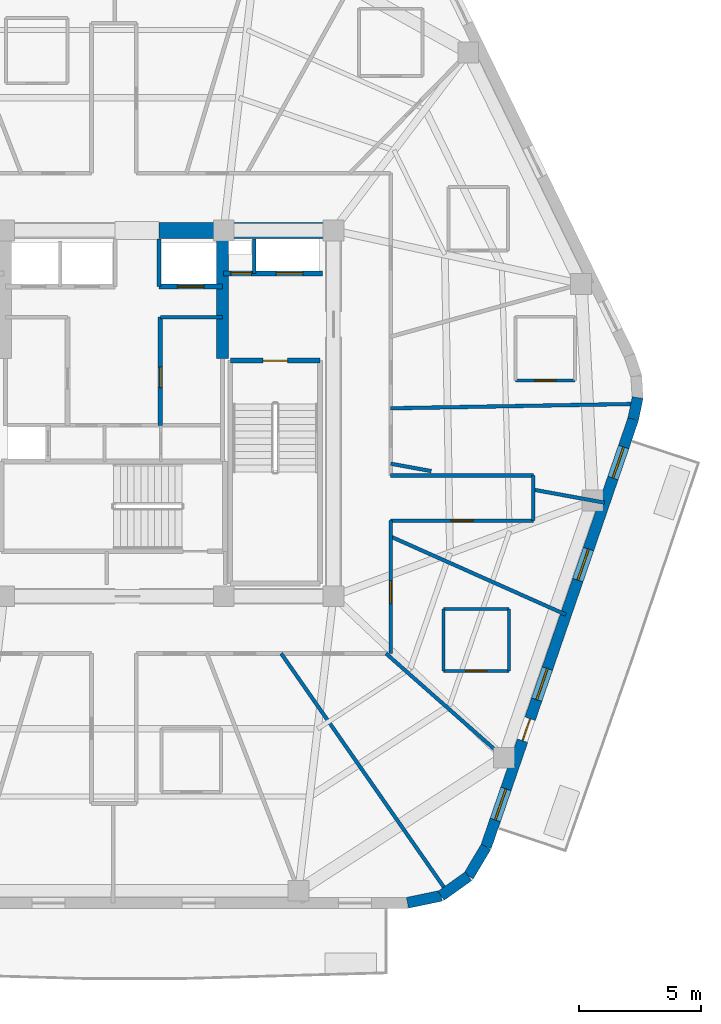
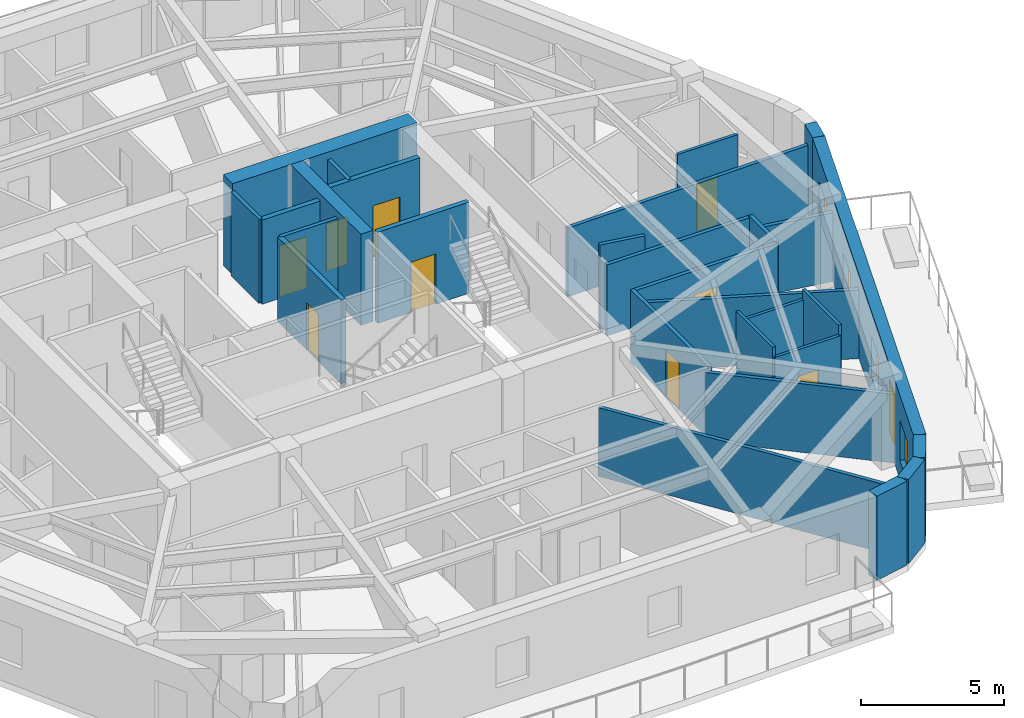
# One storey, part 5 of 9: 29 walls, 10 doors, 4 windows, 14 openings.
"""IFC4 building model written with IfcOpenShell, lengths in metres."""

from ifc_helpers import new_model, si_unit, direction, frame, frame_2d, origin, place, context, subcontext, project, spatial, rectangle, extrude, material, layer, layer_set, type_object, element, fill, save


model = new_model("IFC4")

# Units and contexts
model_context = context("Model", 3, precision=1e-05, world=origin(), true_north=direction((0.0, 1.0)))
body_context = subcontext(model_context, "Body", "Model", "MODEL_VIEW")
ifc_project = project(units=[si_unit("LENGTHUNIT", "METRE"), si_unit("AREAUNIT", "SQUARE_METRE"), si_unit("VOLUMEUNIT", "CUBIC_METRE"), si_unit("PLANEANGLEUNIT", "RADIAN"), si_unit("MASSUNIT", "GRAM", prefix="KILO")], contexts=[model_context])

# Site, building, storey
site_placement = place(None, origin())
site = spatial("IfcSite", under=ifc_project, at=site_placement, CompositionType="ELEMENT")
building_placement = place(site_placement, origin())
building = spatial("IfcBuilding", under=site, at=building_placement, Name="Kilnhurst Terrace Hotel", CompositionType="ELEMENT")
storey_placement = place(building_placement, frame((0.0, 0.0, 269.10009765625)))
storey = spatial("IfcBuildingStorey", under=building, at=storey_placement, Name="L67", CompositionType="ELEMENT", Elevation=269.10009765625)

# Walls
ifc_material_1 = material(Name="Precast concrete C40/50", Category="concrete")
ifc_layer_1 = layer(ifc_material_1, 0.449951171875, Name="Precast concrete C40/50")
ifc_layer_set_1 = layer_set([ifc_layer_1], Name="Precast concrete C40/50")
wall_type_1 = type_object("IfcWallType", Name="WL-BRK-450", PredefinedType="SOLIDWALL", material=ifc_layer_set_1)
wall_1_placement = place(storey_placement, frame((12.038330078125, -20.074951171875, 0.0), z_axis=(0.0, 0.0, 1.0), x_axis=(0.978750122553, 0.205056571711, 0.0)))
element("IfcWall", 1, at=wall_1_placement, inside=storey, type_object=wall_type_1, Name="L67 Rounded Corner Brick Wall C2.1", PredefinedType="SOLIDWALL", context=body_context, shape_type="SweptSolid", body=[
    extrude(rectangle(XDim=1.406005859375, YDim=0.449951171875, at=frame_2d((0.703125, 0.0))), origin(), (0.0, 0.0, 1.0), 3.599853515625),
])
wall_2_placement = place(storey_placement, frame((13.41455078125, -19.78662109375, 0.0), z_axis=(0.0, 0.0, 1.0), x_axis=(0.814055493997, 0.580787097561, 0.0)))
element("IfcWall", 2, at=wall_2_placement, inside=storey, type_object=wall_type_1, Name="L67 Rounded Corner Brick Wall C2.2", PredefinedType="SOLIDWALL", context=body_context, shape_type="SweptSolid", body=[
    extrude(rectangle(XDim=1.382568359375, YDim=0.449951171875, at=frame_2d((0.69140625, 0.0))), origin(), (0.0, 0.0, 1.0), 3.599853515625),
])
wall_3_placement = place(storey_placement, frame((14.5400390625, -18.983642578125, 0.0), z_axis=(0.0, 0.0, 1.0), x_axis=(0.512374906623, 0.858761873317, 0.0)))
element("IfcWall", 3, at=wall_3_placement, inside=storey, type_object=wall_type_1, Name="L67 Rounded Corner Brick Wall C2.3", PredefinedType="SOLIDWALL", context=body_context, shape_type="SweptSolid", body=[
    extrude(rectangle(XDim=1.406005859375, YDim=0.449951171875, at=frame_2d((0.703125, 0.0))), origin(), (0.0, 0.0, 1.0), 3.599853515625),
])
wall_4_placement = place(storey_placement, frame((21.297607421875, -0.2333984375, 0.0), z_axis=(0.0, 0.0, 1.0), x_axis=(0.199158176661, 0.979967356941, 0.0)))
element("IfcWall", 4, at=wall_4_placement, inside=storey, type_object=wall_type_1, Name="L67 Rounded Corner Brick Wall C3.1", PredefinedType="SOLIDWALL", context=body_context, shape_type="SweptSolid", body=[
    extrude(rectangle(XDim=0.894775390625, YDim=0.449951171875, at=frame_2d((0.447265625, 0.0))), origin(), (0.0, 0.0, 1.0), 3.599853515625),
])

# Wall, openings, door, windows
wall_5_placement = place(storey_placement, frame((15.260498046875, -17.776123046875, 0.0), z_axis=(0.0, 0.0, 1.0), x_axis=(0.325407437101, 0.945573899745, 0.0)))
wall_5 = element("IfcWall", 5, at=wall_5_placement, inside=storey, type_object=wall_type_1, Name="L67 Exterior Brick Facade Wall F2", PredefinedType="SOLIDWALL", context=body_context, shape_type="SweptSolid", body=[
    extrude(rectangle(XDim=18.552490234375, YDim=0.449951171875, at=frame_2d((9.2763671875, 0.0))), origin(), (0.0, 0.0, 1.0), 3.599853515625),
])
opening_1_placement = place(wall_5_placement, frame((4.60205078125, 0.0, 0.0)))
opening_1 = element("IfcOpeningElement", 6, at=opening_1_placement, cuts=wall_5, Name="Opening BD-950", PredefinedType="OPENING", context=body_context, shape_type="SweptSolid", body=[
    extrude(rectangle(XDim=0.949951171875, YDim=2.14990234375, at=frame_2d((0.47509765625, 1.074951171875))), frame((0.0, 0.23486328125, 0.0), z_axis=(0.0, -1.0, 0.0), x_axis=(1.0, 0.0, 0.0)), (0.0, 0.0, 1.0), 0.469970703125),
])
opening_2_placement = place(wall_5_placement, frame((1.160888671875, 0.0, 0.800048828125)))
opening_2 = element("IfcOpeningElement", 7, at=opening_2_placement, cuts=wall_5, Name="Opening W-06", PredefinedType="OPENING", context=body_context, shape_type="SweptSolid", body=[
    extrude(rectangle(XDim=1.35009765625, YDim=1.75, at=frame_2d((0.675048828125, 0.875))), frame((0.0, 0.23486328125, 0.0), z_axis=(0.0, -1.0, 0.0), x_axis=(1.0, 0.0, 0.0)), (0.0, 0.0, 1.0), 0.469970703125),
])
opening_3_placement = place(wall_5_placement, frame((6.37890625, 0.0, 0.800048828125)))
opening_3 = element("IfcOpeningElement", 8, at=opening_3_placement, cuts=wall_5, Name="Opening W-06", PredefinedType="OPENING", context=body_context, shape_type="SweptSolid", body=[
    extrude(rectangle(XDim=1.35009765625, YDim=1.75, at=frame_2d((0.675048828125, 0.875))), frame((0.0, 0.23486328125, 0.0), z_axis=(0.0, -1.0, 0.0), x_axis=(1.0, 0.0, 0.0)), (0.0, 0.0, 1.0), 0.469970703125),
])
opening_4_placement = place(wall_5_placement, frame((11.56103515625, 0.0, 0.800048828125)))
opening_4 = element("IfcOpeningElement", 9, at=opening_4_placement, cuts=wall_5, Name="Opening W-06", PredefinedType="OPENING", context=body_context, shape_type="SweptSolid", body=[
    extrude(rectangle(XDim=1.35009765625, YDim=1.75, at=frame_2d((0.675048828125, 0.875))), frame((0.0, 0.23486328125, 0.0), z_axis=(0.0, -1.0, 0.0), x_axis=(1.0, 0.0, 0.0)), (0.0, 0.0, 1.0), 0.469970703125),
])
opening_5_placement = place(wall_5_placement, frame((15.987060546875, 0.0, 0.800048828125)))
opening_5 = element("IfcOpeningElement", 10, at=opening_5_placement, cuts=wall_5, Name="Opening W-06", PredefinedType="OPENING", context=body_context, shape_type="SweptSolid", body=[
    extrude(rectangle(XDim=1.35009765625, YDim=1.75, at=frame_2d((0.675048828125, 0.875))), frame((0.0, 0.23486328125, 0.0), z_axis=(0.0, -1.0, 0.0), x_axis=(1.0, 0.0, 0.0)), (0.0, 0.0, 1.0), 0.469970703125),
])
ifc_material_2 = material(Name="Thermally Broken Bronze Aluminium Alloy 6063-T6 and Laminated Glass", Category="aluminium")
door_type_1 = type_object("IfcDoorType", Name="DR-EXT-BAL-950", OperationType="NOTDEFINED", PredefinedType="DOOR", material=ifc_material_2)
door_1_placement = place(opening_1_placement, origin())
door_1 = element("IfcDoor", 11, at=door_1_placement, inside=storey, type_object=door_type_1, Name="L67 Planted Balcony Door BAL-L1B", OperationType="SINGLE_SWING_RIGHT", OverallHeight=2.14990234375, OverallWidth=0.949951171875, PredefinedType="DOOR", context=body_context, shape_type="SweptSolid", body=[
    extrude(rectangle(XDim=0.949951171875, YDim=2.14990234375, at=frame_2d((0.47509765625, 1.074951171875))), frame((0.0, 0.02490234375, 0.0), z_axis=(0.0, -1.0, 0.0), x_axis=(1.0, 0.0, 0.0)), (0.0, 0.0, 1.0), 0.050048828125),
])
fill(opening_1, door_1)
ifc_material_3 = material(Name="Thermally Broken Bronze Aluminium Alloy 6063-T6 and Low-E Glass", Category="aluminium")
window_type = type_object("IfcWindowType", Name="WIN-1350X1750", PartitioningType="SINGLE_PANEL", PredefinedType="WINDOW", material=ifc_material_3)
window_1_placement = place(opening_2_placement, origin())
window_1 = element("IfcWindow", 12, at=window_1_placement, inside=storey, type_object=window_type, Name="L67 Deep-Set Masonry Window F2.1", OverallHeight=1.75, OverallWidth=1.35009765625, PartitioningType="SINGLE_PANEL", PredefinedType="WINDOW", context=body_context, shape_type="SweptSolid", body=[
    extrude(rectangle(XDim=1.35009765625, YDim=1.75, at=frame_2d((0.675048828125, 0.875))), frame((0.0, 0.030029296875, 0.0), z_axis=(0.0, -1.0, 0.0), x_axis=(1.0, 0.0, 0.0)), (0.0, 0.0, 1.0), 0.06005859375),
])
fill(opening_2, window_1)
window_2_placement = place(opening_3_placement, origin())
window_2 = element("IfcWindow", 13, at=window_2_placement, inside=storey, type_object=window_type, Name="L67 Deep-Set Masonry Window F2.2", OverallHeight=1.75, OverallWidth=1.35009765625, PartitioningType="SINGLE_PANEL", PredefinedType="WINDOW", context=body_context, shape_type="SweptSolid", body=[
    extrude(rectangle(XDim=1.35009765625, YDim=1.75, at=frame_2d((0.675048828125, 0.875))), frame((0.0, 0.030029296875, 0.0), z_axis=(0.0, -1.0, 0.0), x_axis=(1.0, 0.0, 0.0)), (0.0, 0.0, 1.0), 0.06005859375),
])
fill(opening_3, window_2)
window_3_placement = place(opening_4_placement, origin())
window_3 = element("IfcWindow", 14, at=window_3_placement, inside=storey, type_object=window_type, Name="L67 Deep-Set Masonry Window F2.3", OverallHeight=1.75, OverallWidth=1.35009765625, PartitioningType="SINGLE_PANEL", PredefinedType="WINDOW", context=body_context, shape_type="SweptSolid", body=[
    extrude(rectangle(XDim=1.35009765625, YDim=1.75, at=frame_2d((0.675048828125, 0.875))), frame((0.0, 0.030029296875, 0.0), z_axis=(0.0, -1.0, 0.0), x_axis=(1.0, 0.0, 0.0)), (0.0, 0.0, 1.0), 0.06005859375),
])
fill(opening_4, window_3)
window_4_placement = place(opening_5_placement, origin())
window_4 = element("IfcWindow", 15, at=window_4_placement, inside=storey, type_object=window_type, Name="L67 Deep-Set Masonry Window F2.4", OverallHeight=1.75, OverallWidth=1.35009765625, PartitioningType="SINGLE_PANEL", PredefinedType="WINDOW", context=body_context, shape_type="SweptSolid", body=[
    extrude(rectangle(XDim=1.35009765625, YDim=1.75, at=frame_2d((0.675048828125, 0.875))), frame((0.0, 0.030029296875, 0.0), z_axis=(0.0, -1.0, 0.0), x_axis=(1.0, 0.0, 0.0)), (0.0, 0.0, 1.0), 0.06005859375),
])
fill(opening_5, window_4)

# Walls
ifc_material_4 = material(Name="Acoustic Double-Gypsum Corridor Partition Assembly")
ifc_layer_2 = layer(ifc_material_4, 0.14990234375, Name="Acoustic Double-Gypsum Corridor Partition Assembly")
ifc_layer_set_2 = layer_set([ifc_layer_2], Name="Acoustic Double-Gypsum Corridor Partition Assembly")
wall_type_2 = type_object("IfcWallType", Name="WL-COR-150", PredefinedType="PARTITIONING", material=ifc_layer_set_2)
wall_6_placement = place(storey_placement, frame((11.35009765625, -2.550048828125, 0.0), z_axis=(0.0, 0.0, 1.0), x_axis=(1.0, 0.0, 0.0)))
element("IfcWall", 16, at=wall_6_placement, inside=storey, type_object=wall_type_2, Name="L67 Interior Wall WL-L67-COR-12", PredefinedType="PARTITIONING", context=body_context, shape_type="SweptSolid", body=[
    extrude(rectangle(XDim=5.849853515625, YDim=0.14990234375, at=frame_2d((2.9248046875, 0.0))), origin(), (0.0, 0.0, 1.0), 3.040283203125),
])
wall_7_placement = place(storey_placement, frame((17.199951171875, -2.550048828125, 0.0), z_axis=(0.0, 0.0, 1.0), x_axis=(0.0, -1.0, 0.0)))
element("IfcWall", 17, at=wall_7_placement, inside=storey, type_object=wall_type_2, Name="L67 Interior Wall WL-L67-COR-13", PredefinedType="PARTITIONING", context=body_context, shape_type="SweptSolid", body=[
    extrude(rectangle(XDim=1.849853515625, YDim=0.14990234375, at=frame_2d((0.9248046875, 0.0))), origin(), (0.0, 0.0, 1.0), 3.08984375),
])

# Wall, opening, door
wall_8_placement = place(storey_placement, frame((17.199951171875, -4.39990234375, 0.0), z_axis=(0.0, 0.0, 1.0), x_axis=(-1.0, 0.0, 0.0)))
wall_8 = element("IfcWall", 18, at=wall_8_placement, inside=storey, type_object=wall_type_2, Name="L67 Interior Wall WL-L67-COR-14", PredefinedType="PARTITIONING", context=body_context, shape_type="SweptSolid", body=[
    extrude(rectangle(XDim=5.849853515625, YDim=0.14990234375, at=frame_2d((2.9248046875, 0.0))), origin(), (0.0, 0.0, 1.0), 3.040283203125),
])
opening_6_placement = place(wall_8_placement, frame((2.47509765625, 0.0, 0.0)))
opening_6 = element("IfcOpeningElement", 19, at=opening_6_placement, cuts=wall_8, Name="Opening D-60C", PredefinedType="OPENING", context=body_context, shape_type="SweptSolid", body=[
    extrude(rectangle(XDim=0.89990234375, YDim=2.030029296875, at=frame_2d((0.449951171875, 1.01513671875))), frame((0.0, 0.0849609375, 0.0), z_axis=(0.0, -1.0, 0.0), x_axis=(1.0, 0.0, 0.0)), (0.0, 0.0, 1.0), 0.169921875),
])
ifc_material_5 = material(Name="Painted Solid-Core Service Fire Door")
door_type_2 = type_object("IfcDoorType", Name="DR-FD60-900", OperationType="NOTDEFINED", PredefinedType="DOOR", material=ifc_material_5)
door_2_placement = place(opening_6_placement, origin())
door_2 = element("IfcDoor", 20, at=door_2_placement, inside=storey, type_object=door_type_2, Name="L67 Wellness Consultation Room Door 21", OperationType="SINGLE_SWING_LEFT", OverallHeight=2.030029296875, OverallWidth=0.89990234375, PredefinedType="DOOR", context=body_context, shape_type="SweptSolid", body=[
    extrude(rectangle(XDim=0.89990234375, YDim=2.030029296875, at=frame_2d((0.449951171875, 1.01513671875))), frame((0.0, 0.02490234375, 0.0), z_axis=(0.0, -1.0, 0.0), x_axis=(1.0, 0.0, 0.0)), (0.0, 0.0, 1.0), 0.050048828125),
])
fill(opening_6, door_2)

wall_9_placement = place(storey_placement, frame((11.35009765625, -4.39990234375, 0.0), z_axis=(0.0, 0.0, 1.0), x_axis=(0.0, -1.0, 0.0)))
wall_9 = element("IfcWall", 21, at=wall_9_placement, inside=storey, type_object=wall_type_2, Name="L67 Interior Wall WL-L67-COR-15", PredefinedType="PARTITIONING", context=body_context, shape_type="SweptSolid", body=[
    extrude(rectangle(XDim=5.4501953125, YDim=0.14990234375, at=frame_2d((2.72509765625, 0.0))), origin(), (0.0, 0.0, 1.0), 3.08984375),
])
opening_7_placement = place(wall_9_placement, frame((2.4580078125, 0.0, 0.0)))
opening_7 = element("IfcOpeningElement", 22, at=opening_7_placement, cuts=wall_9, Name="Opening D-60B", PredefinedType="OPENING", context=body_context, shape_type="SweptSolid", body=[
    extrude(rectangle(XDim=0.949951171875, YDim=2.030029296875, at=frame_2d((0.47509765625, 1.01513671875))), frame((0.0, 0.0849609375, 0.0), z_axis=(0.0, -1.0, 0.0), x_axis=(1.0, 0.0, 0.0)), (0.0, 0.0, 1.0), 0.169921875),
])
ifc_material_6 = material(Name="Acoustic Walnut Veneer Solid-Core Fire Door")
door_type_3 = type_object("IfcDoorType", Name="DR-FD60-950", OperationType="NOTDEFINED", PredefinedType="DOOR", material=ifc_material_6)
door_3_placement = place(opening_7_placement, origin())
door_3 = element("IfcDoor", 23, at=door_3_placement, inside=storey, type_object=door_type_3, Name="L67 Guest Room Entry Door 20", OperationType="SINGLE_SWING_RIGHT", OverallHeight=2.030029296875, OverallWidth=0.949951171875, PredefinedType="DOOR", context=body_context, shape_type="SweptSolid", body=[
    extrude(rectangle(XDim=0.949951171875, YDim=2.030029296875, at=frame_2d((0.47509765625, 1.01513671875))), frame((0.0, 0.02490234375, 0.0), z_axis=(0.0, -1.0, 0.0), x_axis=(1.0, 0.0, 0.0)), (0.0, 0.0, 1.0), 0.050048828125),
])
fill(opening_7, door_3)

# Walls
ifc_material_7 = material(Name="Concrete C60/75", Category="concrete")
ifc_layer_3 = layer(ifc_material_7, 0.64990234375, Name="Concrete C60/75")
ifc_layer_set_3 = layer_set([ifc_layer_3], Name="Concrete C60/75")
wall_type_3 = type_object("IfcWallType", Name="WL-CORE-650", PredefinedType="SHEAR", material=ifc_layer_set_3)
wall_10_placement = place(storey_placement, frame((1.85009765625, 7.5, 0.0), z_axis=(0.0, 0.0, 1.0), x_axis=(1.0, 0.0, 0.0)))
element("IfcWall", 24, at=wall_10_placement, inside=storey, type_object=wall_type_3, Name="L67 Core North East Shear Wall", PredefinedType="SHEAR", context=body_context, shape_type="SweptSolid", body=[
    extrude(rectangle(XDim=7.474853515625, YDim=0.64990234375, at=frame_2d((3.7373046875, 0.0))), origin(), (0.0, 0.0, 1.0), 3.89990234375),
])
ifc_layer_4 = layer(ifc_material_7, 0.5, Name="Concrete C60/75")
ifc_layer_set_4 = layer_set([ifc_layer_4], Name="Concrete C60/75")
wall_type_4 = type_object("IfcWallType", Name="WL-CORE-WEB-500", PredefinedType="SHEAR", material=ifc_layer_set_4)
wall_11_placement = place(storey_placement, frame((4.449951171875, 2.25, 0.0), z_axis=(0.0, 0.0, 1.0), x_axis=(0.0, 1.0, 0.0)))
element("IfcWall", 25, at=wall_11_placement, inside=storey, type_object=wall_type_4, Name="L67 Core Internal East Shear Web", PredefinedType="SHEAR", context=body_context, shape_type="SweptSolid", body=[
    extrude(rectangle(XDim=4.925048828125, YDim=0.5, at=frame_2d((2.46240234375, 0.0))), origin(), (0.0, 0.0, 1.0), 3.89990234375),
])
ifc_material_8 = material(Name="STC-58 Acoustic Twin-Frame Guestroom Demising Partition")
ifc_layer_5 = layer(ifc_material_8, 0.14990234375, Name="STC-58 Acoustic Twin-Frame Guestroom Demising Partition")
ifc_layer_set_5 = layer_set([ifc_layer_5], Name="STC-58 Acoustic Twin-Frame Guestroom Demising Partition")
wall_type_5 = type_object("IfcWallType", Name="WL-DEM-150", PredefinedType="PARTITIONING", material=ifc_layer_set_5)
wall_12_placement = place(storey_placement, frame((11.35009765625, 0.2041015625, 0.0), z_axis=(0.0, 0.0, 1.0), x_axis=(0.999838748671, 0.017957635019, 0.0)))
element("IfcWall", 26, at=wall_12_placement, inside=storey, type_object=wall_type_5, Name="L67 Interior Wall WL-L67-DEM-MID12-01-1", PredefinedType="PARTITIONING", context=body_context, shape_type="SweptSolid", body=[
    extrude(rectangle(XDim=9.9111328125, YDim=0.14990234375, at=frame_2d((4.95556640625, 0.0))), origin(), (0.0, 0.0, 1.0), 2.93994140625),
])
wall_13_placement = place(storey_placement, frame((6.858154296875, -9.85009765625, 0.0), z_axis=(0.0, 0.0, 1.0), x_axis=(0.571391702066, -0.820677477948, 0.0)))
element("IfcWall", 27, at=wall_13_placement, inside=storey, type_object=wall_type_5, Name="L67 Interior Wall WL-L67-DEM-MID10-19-1", PredefinedType="PARTITIONING", context=body_context, shape_type="SweptSolid", body=[
    extrude(rectangle(XDim=11.737548828125, YDim=0.14990234375, at=frame_2d((5.86865234375, 0.0))), origin(), (0.0, 0.0, 1.0), 2.93994140625),
])
wall_14_placement = place(storey_placement, frame((11.1572265625, -9.85009765625, 0.0), z_axis=(0.0, 0.0, 1.0), x_axis=(0.74966962095, -0.661812253909, 0.0)))
element("IfcWall", 28, at=wall_14_placement, inside=storey, type_object=wall_type_5, Name="L67 Interior Wall WL-L67-DEM-COL11-20-1", PredefinedType="PARTITIONING", context=body_context, shape_type="SweptSolid", body=[
    extrude(rectangle(XDim=6.98876953125, YDim=0.14990234375, at=frame_2d((3.494384765625, 0.0))), origin(), (0.0, 0.0, 1.0), 2.93994140625),
])
wall_15_placement = place(storey_placement, frame((11.35009765625, -5.056640625, 0.0), z_axis=(0.0, 0.0, 1.0), x_axis=(0.91344644156, -0.406958964026, 0.0)))
element("IfcWall", 29, at=wall_15_placement, inside=storey, type_object=wall_type_5, Name="L67 Interior Wall WL-L67-DEM-MID11-21-1", PredefinedType="PARTITIONING", context=body_context, shape_type="SweptSolid", body=[
    extrude(rectangle(XDim=7.86669921875, YDim=0.14990234375, at=frame_2d((3.933349609375, 0.0))), origin(), (0.0, 0.0, 1.0), 2.93994140625),
])
wall_16_placement = place(storey_placement, frame((11.35009765625, -2.067138671875, 0.0), z_axis=(0.0, 0.0, 1.0), x_axis=(0.983807459651, -0.179228575665, 0.0)))
element("IfcWall", 30, at=wall_16_placement, inside=storey, type_object=wall_type_5, Name="L67 Interior Wall WL-L67-DEM-COL12-22-1", PredefinedType="PARTITIONING", context=body_context, shape_type="SweptSolid", body=[
    extrude(rectangle(XDim=1.6904296875, YDim=0.14990234375, at=frame_2d((0.84521484375, 0.0))), origin(), (0.0, 0.0, 1.0), 3.599853515625),
])
wall_17_placement = place(storey_placement, frame((17.199951171875, -3.132568359375, 0.0), z_axis=(0.0, 0.0, 1.0), x_axis=(0.983817168797, -0.179175272791, 0.0)))
element("IfcWall", 31, at=wall_17_placement, inside=storey, type_object=wall_type_5, Name="L67 Interior Wall WL-L67-DEM-COL12-22-2", PredefinedType="PARTITIONING", context=body_context, shape_type="SweptSolid", body=[
    extrude(rectangle(XDim=2.965087890625, YDim=0.14990234375, at=frame_2d((1.482421875, 0.0))), origin(), (0.0, 0.0, 1.0), 2.93994140625),
])

# Wall, opening, door
ifc_material_9 = material(Name="120 mm Moisture-Resistant Tile-Backed Bathroom Partition")
ifc_layer_6 = layer(ifc_material_9, 0.1201171875, Name="120 mm Moisture-Resistant Tile-Backed Bathroom Partition")
ifc_layer_set_6 = layer_set([ifc_layer_6], Name="120 mm Moisture-Resistant Tile-Backed Bathroom Partition")
wall_type_6 = type_object("IfcWallType", Name="WL-PART-120", PredefinedType="PARTITIONING", material=ifc_layer_set_6)
wall_18_placement = place(storey_placement, frame((16.470947265625, 1.34912109375, 0.0), z_axis=(0.0, 0.0, 1.0), x_axis=(1.0, 0.0, 0.0)))
wall_18 = element("IfcWall", 32, at=wall_18_placement, inside=storey, type_object=wall_type_6, Name="L67 Interior Wall WL-L67-BTH-01-1", PredefinedType="PARTITIONING", context=body_context, shape_type="SweptSolid", body=[
    extrude(rectangle(XDim=2.43994140625, YDim=0.1201171875, at=frame_2d((1.219970703125, 0.0))), origin(), (0.0, 0.0, 1.0), 3.599853515625),
])
opening_8_placement = place(wall_18_placement, frame((0.794921875, 0.0, 0.0)))
opening_8 = element("IfcOpeningElement", 33, at=opening_8_placement, cuts=wall_18, Name="Opening D-08A", PredefinedType="OPENING", context=body_context, shape_type="SweptSolid", body=[
    extrude(rectangle(XDim=0.85009765625, YDim=2.030029296875, at=frame_2d((0.425048828125, 1.01513671875))), frame((0.0, 0.070068359375, 0.0), z_axis=(0.0, -1.0, 0.0), x_axis=(1.0, 0.0, 0.0)), (0.0, 0.0, 1.0), 0.14013671875),
])
ifc_material_10 = material(Name="Moisture-Resistant Lacquered En-suite Bathroom Door")
door_type_4 = type_object("IfcDoorType", Name="DR-INT-850", OperationType="NOTDEFINED", PredefinedType="DOOR", material=ifc_material_10)
door_4_placement = place(opening_8_placement, origin())
door_4 = element("IfcDoor", 34, at=door_4_placement, inside=storey, type_object=door_type_4, Name="L67 En-suite Bathroom Door 1", OperationType="SINGLE_SWING_RIGHT", OverallHeight=2.030029296875, OverallWidth=0.85009765625, PredefinedType="DOOR", context=body_context, shape_type="SweptSolid", body=[
    extrude(rectangle(XDim=0.85009765625, YDim=2.030029296875, at=frame_2d((0.425048828125, 1.01513671875))), frame((0.0, 0.02490234375, 0.0), z_axis=(0.0, -1.0, 0.0), x_axis=(1.0, 0.0, 0.0)), (0.0, 0.0, 1.0), 0.050048828125),
])
fill(opening_8, door_4)

wall_19_placement = place(storey_placement, frame((13.51904296875, -10.56689453125, 0.0), z_axis=(0.0, 0.0, 1.0), x_axis=(1.0, 0.0, 0.0)))
wall_19 = element("IfcWall", 35, at=wall_19_placement, inside=storey, type_object=wall_type_6, Name="L67 Interior Wall WL-L67-BTH-20-1", PredefinedType="PARTITIONING", context=body_context, shape_type="SweptSolid", body=[
    extrude(rectangle(XDim=2.679931640625, YDim=0.1201171875, at=frame_2d((1.33984375, 0.0))), origin(), (0.0, 0.0, 1.0), 3.17236328125),
])
opening_9_placement = place(wall_19_placement, frame((0.9150390625, 0.0, 0.0)))
opening_9 = element("IfcOpeningElement", 36, at=opening_9_placement, cuts=wall_19, Name="Opening D-08A", PredefinedType="OPENING", context=body_context, shape_type="SweptSolid", body=[
    extrude(rectangle(XDim=0.85009765625, YDim=2.030029296875, at=frame_2d((0.425048828125, 1.01513671875))), frame((0.0, 0.070068359375, 0.0), z_axis=(0.0, -1.0, 0.0), x_axis=(1.0, 0.0, 0.0)), (0.0, 0.0, 1.0), 0.14013671875),
])
door_5_placement = place(opening_9_placement, origin())
door_5 = element("IfcDoor", 37, at=door_5_placement, inside=storey, type_object=door_type_4, Name="L67 En-suite Bathroom Door 20", OperationType="SINGLE_SWING_LEFT", OverallHeight=2.030029296875, OverallWidth=0.85009765625, PredefinedType="DOOR", context=body_context, shape_type="SweptSolid", body=[
    extrude(rectangle(XDim=0.85009765625, YDim=2.030029296875, at=frame_2d((0.425048828125, 1.01513671875))), frame((0.0, 0.02490234375, 0.0), z_axis=(0.0, -1.0, 0.0), x_axis=(1.0, 0.0, 0.0)), (0.0, 0.0, 1.0), 0.050048828125),
])
fill(opening_9, door_5)

# Walls
wall_20_placement = place(storey_placement, frame((16.198974609375, -10.56689453125, 0.0), z_axis=(0.0, 0.0, 1.0), x_axis=(0.0, 1.0, 0.0)))
element("IfcWall", 38, at=wall_20_placement, inside=storey, type_object=wall_type_6, Name="L67 Interior Wall WL-L67-BTH-20-2", PredefinedType="PARTITIONING", context=body_context, shape_type="SweptSolid", body=[
    extrude(rectangle(XDim=2.539794921875, YDim=0.1201171875, at=frame_2d((1.27001953125, 0.0))), origin(), (0.0, 0.0, 1.0), 3.599853515625),
])
wall_21_placement = place(storey_placement, frame((16.198974609375, -8.027099609375, 0.0), z_axis=(0.0, 0.0, 1.0), x_axis=(-1.0, 0.0, 0.0)))
element("IfcWall", 39, at=wall_21_placement, inside=storey, type_object=wall_type_6, Name="L67 Interior Wall WL-L67-BTH-20-3", PredefinedType="PARTITIONING", context=body_context, shape_type="SweptSolid", body=[
    extrude(rectangle(XDim=2.679931640625, YDim=0.1201171875, at=frame_2d((1.33984375, 0.0))), origin(), (0.0, 0.0, 1.0), 3.17236328125),
])
wall_22_placement = place(storey_placement, frame((13.51904296875, -8.027099609375, 0.0), z_axis=(0.0, 0.0, 1.0), x_axis=(0.0, -1.0, 0.0)))
element("IfcWall", 40, at=wall_22_placement, inside=storey, type_object=wall_type_6, Name="L67 Interior Wall WL-L67-BTH-20-4", PredefinedType="PARTITIONING", context=body_context, shape_type="SweptSolid", body=[
    extrude(rectangle(XDim=2.539794921875, YDim=0.1201171875, at=frame_2d((1.27001953125, 0.0))), origin(), (0.0, 0.0, 1.0), 3.599853515625),
])
ifc_material_11 = material(Name="Fire-Rated Gypsum Shaftliner Assembly")
ifc_layer_7 = layer(ifc_material_11, 0.14990234375, Name="Fire-Rated Gypsum Shaftliner Assembly")
ifc_layer_set_7 = layer_set([ifc_layer_7], Name="Fire-Rated Gypsum Shaftliner Assembly")
wall_type_7 = type_object("IfcWallType", Name="WL-SHAFT-150", PredefinedType="PARTITIONING", material=ifc_layer_set_7)
wall_23_placement = place(storey_placement, frame((5.75, 5.739990234375, 0.0), z_axis=(0.0, 0.0, 1.0), x_axis=(0.0, 1.0, 0.0)))
element("IfcWall", 41, at=wall_23_placement, inside=storey, type_object=wall_type_7, Name="L67 Interior Wall WL-L67-RIS2-DIV", PredefinedType="PARTITIONING", context=body_context, shape_type="SweptSolid", body=[
    extrude(rectangle(XDim=1.409912109375, YDim=0.14990234375, at=frame_2d((0.705078125, 0.0))), origin(), (0.0, 0.0, 1.0), 3.599853515625),
])
wall_24_placement = place(storey_placement, frame((1.85009765625, 5.199951171875, 0.0), z_axis=(0.0, 0.0, 1.0), x_axis=(0.0, 1.0, 0.0)))
element("IfcWall", 42, at=wall_24_placement, inside=storey, type_object=wall_type_7, Name="L67 Interior Wall WL-L67-HR-PORTAL-E", PredefinedType="PARTITIONING", context=body_context, shape_type="SweptSolid", body=[
    extrude(rectangle(XDim=1.949951171875, YDim=0.14990234375, at=frame_2d((0.97509765625, 0.0))), origin(), (0.0, 0.0, 1.0), 3.599853515625),
])
wall_25_placement = place(storey_placement, frame((1.89990234375, 3.93994140625, 0.0), z_axis=(0.0, 0.0, 1.0), x_axis=(1.0, 0.0, 0.0)))
element("IfcWall", 43, at=wall_25_placement, inside=storey, type_object=wall_type_7, Name="L67 Interior Wall WL-L67-MR-NORTH", PredefinedType="PARTITIONING", context=body_context, shape_type="SweptSolid", body=[
    extrude(rectangle(XDim=2.550048828125, YDim=0.14990234375, at=frame_2d((1.27490234375, 0.0))), origin(), (0.0, 0.0, 1.0), 3.599853515625),
])

# Wall, openings, doors
ifc_material_12 = material(Name="Autoclaved Aerated Concrete C30/37 and Gypsum Shaft Assembly", Category="concrete")
ifc_layer_8 = layer(ifc_material_12, 0.199951171875, Name="Autoclaved Aerated Concrete C30/37 and Gypsum Shaft Assembly")
ifc_layer_set_8 = layer_set([ifc_layer_8], Name="Autoclaved Aerated Concrete C30/37 and Gypsum Shaft Assembly")
wall_type_8 = type_object("IfcWallType", Name="WL-SHAFT-200", PredefinedType="PARTITIONING", material=ifc_layer_set_8)
wall_26_placement = place(storey_placement, frame((4.5, 5.739990234375, 0.0), z_axis=(0.0, 0.0, 1.0), x_axis=(1.0, 0.0, 0.0)))
wall_26 = element("IfcWall", 44, at=wall_26_placement, inside=storey, type_object=wall_type_8, Name="L67 Interior Wall WL-L67-FSAE2-S", PredefinedType="PARTITIONING", context=body_context, shape_type="SweptSolid", body=[
    extrude(rectangle(XDim=4.050048828125, YDim=0.199951171875, at=frame_2d((2.02490234375, 0.0))), origin(), (0.0, 0.0, 1.0), 3.599853515625),
])
opening_10_placement = place(wall_26_placement, frame((0.300048828125, 0.0, 0.0)))
opening_10 = element("IfcOpeningElement", 45, at=opening_10_placement, cuts=wall_26, Name="Opening D-60D", PredefinedType="OPENING", context=body_context, shape_type="SweptSolid", body=[
    extrude(rectangle(XDim=0.85009765625, YDim=2.030029296875, at=frame_2d((0.425048828125, 1.01513671875))), frame((0.0, 0.10986328125, 0.0), z_axis=(0.0, -1.0, 0.0), x_axis=(1.0, 0.0, 0.0)), (0.0, 0.0, 1.0), 0.219970703125),
])
opening_11_placement = place(wall_26_placement, frame((2.14990234375, 0.0, 0.0)))
opening_11 = element("IfcOpeningElement", 46, at=opening_11_placement, cuts=wall_26, Name="Opening LD-F2", PredefinedType="OPENING", context=body_context, shape_type="SweptSolid", body=[
    extrude(rectangle(XDim=1.10009765625, YDim=2.199951171875, at=frame_2d((0.550048828125, 1.10009765625))), frame((0.0, 0.10986328125, 0.0), z_axis=(0.0, -1.0, 0.0), x_axis=(1.0, 0.0, 0.0)), (0.0, 0.0, 1.0), 0.219970703125),
])
ifc_material_13 = material(Name="Painted Hollow Metal Steel ASTM A36 Riser Door", Category="steel")
door_type_5 = type_object("IfcDoorType", Name="DR-FD60-850", OperationType="NOTDEFINED", PredefinedType="DOOR", material=ifc_material_13)
door_6_placement = place(opening_10_placement, origin())
door_6 = element("IfcDoor", 47, at=door_6_placement, inside=storey, type_object=door_type_5, Name="L67 Telecom Riser Door", OperationType="SINGLE_SWING_RIGHT", OverallHeight=2.030029296875, OverallWidth=0.85009765625, PredefinedType="DOOR", context=body_context, shape_type="SweptSolid", body=[
    extrude(rectangle(XDim=0.85009765625, YDim=2.030029296875, at=frame_2d((0.425048828125, 1.01513671875))), frame((0.0, 0.02490234375, 0.0), z_axis=(0.0, -1.0, 0.0), x_axis=(1.0, 0.0, 0.0)), (0.0, 0.0, 1.0), 0.050048828125),
])
fill(opening_10, door_6)
ifc_material_14 = material(Name="Bronze-Anodized Stainless Steel AISI 316L Sliding Door", Category="steel")
door_type_6 = type_object("IfcDoorType", Name="DR-LIFT-1100", OperationType="NOTDEFINED", PredefinedType="DOOR", material=ifc_material_14)
door_7_placement = place(opening_11_placement, origin())
door_7 = element("IfcDoor", 48, at=door_7_placement, inside=storey, type_object=door_type_6, Name="L67 FSAE-2 Landing Door", OperationType="SLIDING_TO_RIGHT", OverallHeight=2.199951171875, OverallWidth=1.10009765625, PredefinedType="DOOR", context=body_context, shape_type="SweptSolid", body=[
    extrude(rectangle(XDim=1.10009765625, YDim=2.199951171875, at=frame_2d((0.550048828125, 1.10009765625))), frame((0.0, 0.02490234375, 0.0), z_axis=(0.0, -1.0, 0.0), x_axis=(1.0, 0.0, 0.0)), (0.0, 0.0, 1.0), 0.050048828125),
])
fill(opening_11, door_7)

# Wall, opening, door
wall_27_placement = place(storey_placement, frame((1.85009765625, 5.199951171875, 0.0), z_axis=(0.0, 0.0, 1.0), x_axis=(1.0, 0.0, 0.0)))
wall_27 = element("IfcWall", 49, at=wall_27_placement, inside=storey, type_object=wall_type_8, Name="L67 Interior Wall WL-L67-HR-SE", PredefinedType="PARTITIONING", context=body_context, shape_type="SweptSolid", body=[
    extrude(rectangle(XDim=2.599853515625, YDim=0.199951171875, at=frame_2d((1.2998046875, 0.0))), origin(), (0.0, 0.0, 1.0), 3.599853515625),
])
opening_12_placement = place(wall_27_placement, frame((0.75, 0.0, 0.0)))
opening_12 = element("IfcOpeningElement", 50, at=opening_12_placement, cuts=wall_27, Name="Opening LD-H2", PredefinedType="OPENING", context=body_context, shape_type="SweptSolid", body=[
    extrude(rectangle(XDim=1.10009765625, YDim=2.199951171875, at=frame_2d((0.550048828125, 1.10009765625))), frame((0.0, 0.10986328125, 0.0), z_axis=(0.0, -1.0, 0.0), x_axis=(1.0, 0.0, 0.0)), (0.0, 0.0, 1.0), 0.219970703125),
])
door_8_placement = place(opening_12_placement, origin())
door_8 = element("IfcDoor", 51, at=door_8_placement, inside=storey, type_object=door_type_6, Name="L67 High Rise Lift HR-2 Landing Door", OperationType="SLIDING_TO_RIGHT", OverallHeight=2.199951171875, OverallWidth=1.10009765625, PredefinedType="DOOR", context=body_context, shape_type="SweptSolid", body=[
    extrude(rectangle(XDim=1.10009765625, YDim=2.199951171875, at=frame_2d((0.550048828125, 1.10009765625))), frame((0.0, 0.02490234375, 0.0), z_axis=(0.0, -1.0, 0.0), x_axis=(1.0, 0.0, 0.0)), (0.0, 0.0, 1.0), 0.050048828125),
])
fill(opening_12, door_8)

wall_28_placement = place(storey_placement, frame((1.89990234375, -0.5, 0.0), z_axis=(0.0, 0.0, 1.0), x_axis=(0.0, 1.0, 0.0)))
wall_28 = element("IfcWall", 52, at=wall_28_placement, inside=storey, type_object=wall_type_8, Name="L67 Interior Wall WL-L67-MR-FRONT", PredefinedType="PARTITIONING", context=body_context, shape_type="SweptSolid", body=[
    extrude(rectangle(XDim=4.43994140625, YDim=0.199951171875, at=frame_2d((2.219970703125, 0.0))), origin(), (0.0, 0.0, 1.0), 3.599853515625),
])
opening_13_placement = place(wall_28_placement, frame((1.550048828125, 0.0, 0.0)))
opening_13 = element("IfcOpeningElement", 53, at=opening_13_placement, cuts=wall_28, Name="Opening D-60D", PredefinedType="OPENING", context=body_context, shape_type="SweptSolid", body=[
    extrude(rectangle(XDim=0.85009765625, YDim=2.030029296875, at=frame_2d((0.425048828125, 1.01513671875))), frame((0.0, 0.10986328125, 0.0), z_axis=(0.0, -1.0, 0.0), x_axis=(1.0, 0.0, 0.0)), (0.0, 0.0, 1.0), 0.219970703125),
])
door_9_placement = place(opening_13_placement, origin())
door_9 = element("IfcDoor", 54, at=door_9_placement, inside=storey, type_object=door_type_5, Name="L67 Staff Accessible Restroom Door", OperationType="SINGLE_SWING_RIGHT", OverallHeight=2.030029296875, OverallWidth=0.85009765625, PredefinedType="DOOR", context=body_context, shape_type="SweptSolid", body=[
    extrude(rectangle(XDim=0.85009765625, YDim=2.030029296875, at=frame_2d((0.425048828125, 1.01513671875))), frame((0.0, 0.02490234375, 0.0), z_axis=(0.0, -1.0, 0.0), x_axis=(1.0, 0.0, 0.0)), (0.0, 0.0, 1.0), 0.050048828125),
])
fill(opening_13, door_9)

ifc_material_15 = material(Name="Concrete C50/60", Category="concrete")
ifc_layer_9 = layer(ifc_material_15, 0.199951171875, Name="Concrete C50/60")
ifc_layer_set_9 = layer_set([ifc_layer_9], Name="Concrete C50/60")
wall_type_9 = type_object("IfcWallType", Name="WL-STAIR-RC-200", PredefinedType="SHEAR", material=ifc_layer_set_9)
wall_29_placement = place(storey_placement, frame((4.77197265625, 2.157958984375, 0.0), z_axis=(0.0, 0.0, 1.0), x_axis=(1.0, 0.0, 0.0)))
wall_29 = element("IfcWall", 55, at=wall_29_placement, inside=storey, type_object=wall_type_9, Name="L67 Structural Stair Shaft Wall WL-L67-ST2-N", PredefinedType="SHEAR", context=body_context, shape_type="SweptSolid", body=[
    extrude(rectangle(XDim=3.68603515625, YDim=0.199951171875, at=frame_2d((1.843017578125, 0.0))), origin(), (0.0, 0.0, 1.0), 3.89990234375),
])
opening_14_placement = place(wall_29_placement, frame((1.35009765625, 0.0, 0.0)))
opening_14 = element("IfcOpeningElement", 56, at=opening_14_placement, cuts=wall_29, Name="Opening D-90B", PredefinedType="OPENING", context=body_context, shape_type="SweptSolid", body=[
    extrude(rectangle(XDim=1.0, YDim=2.14990234375, at=frame_2d((0.5, 1.074951171875))), frame((0.0, 0.10986328125, 0.0), z_axis=(0.0, -1.0, 0.0), x_axis=(1.0, 0.0, 0.0)), (0.0, 0.0, 1.0), 0.219970703125),
])
ifc_material_16 = material(Name="Painted Hollow Metal Steel ASTM A36 Fire Door", Category="steel")
door_type_7 = type_object("IfcDoorType", Name="DR-FD90-1000", OperationType="NOTDEFINED", PredefinedType="DOOR", material=ifc_material_16)
door_10_placement = place(opening_14_placement, origin())
door_10 = element("IfcDoor", 57, at=door_10_placement, inside=storey, type_object=door_type_7, Name="L67 Stair ST-2 Door", OperationType="SINGLE_SWING_RIGHT", OverallHeight=2.14990234375, OverallWidth=1.0, PredefinedType="DOOR", context=body_context, shape_type="SweptSolid", body=[
    extrude(rectangle(XDim=1.0, YDim=2.14990234375, at=frame_2d((0.5, 1.074951171875))), frame((0.0, 0.02490234375, 0.0), z_axis=(0.0, -1.0, 0.0), x_axis=(1.0, 0.0, 0.0)), (0.0, 0.0, 1.0), 0.050048828125),
])
fill(opening_14, door_10)

save(model, "model.ifc")
